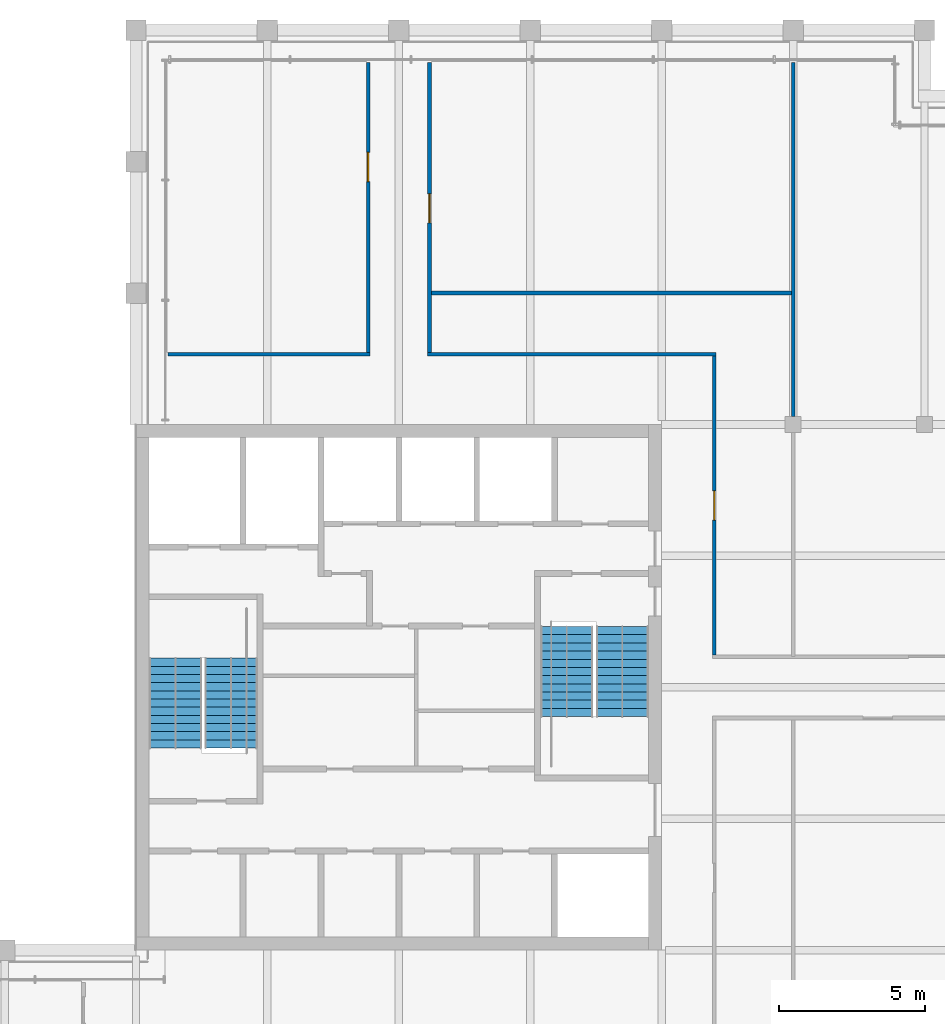
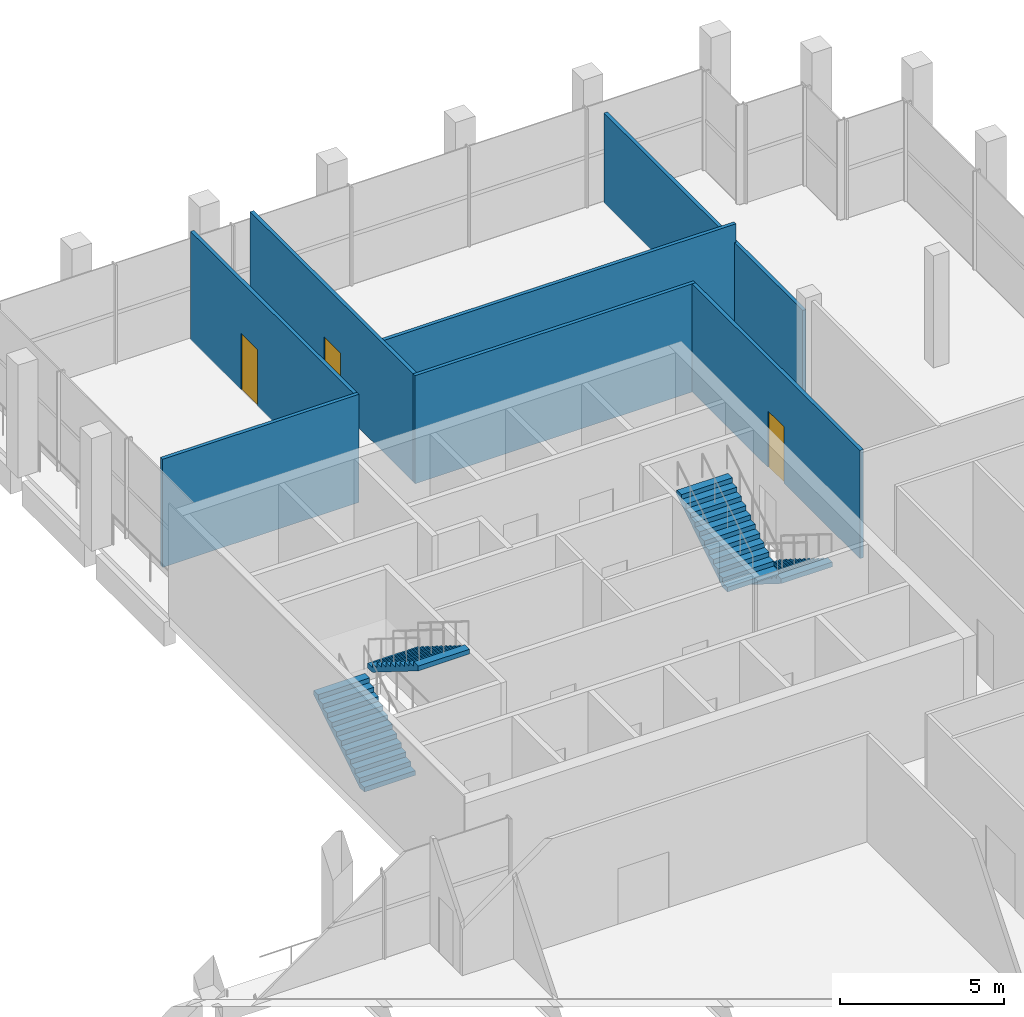
# One storey, part 16 of 17: 7 walls, 4 stair flights, 3 doors, 3 openings, 2 elements without a shape of their own.
"""IFC4 building model written with IfcOpenShell, lengths in metres."""

from ifc_helpers import new_model, si_unit, direction, frame, frame_2d, origin, place, context, subcontext, project, spatial, polyline, rectangle, outline, extrude, material, layer, layer_set, type_object, element, fill, aggregate, save


model = new_model("IFC4")

# Units and contexts
model_context = context("Model", 3, precision=1e-05, world=origin(), true_north=direction((0.0, 1.0)))
body_context = subcontext(model_context, "Body", "Model", "MODEL_VIEW")
ifc_project = project(units=[si_unit("LENGTHUNIT", "METRE"), si_unit("AREAUNIT", "SQUARE_METRE"), si_unit("VOLUMEUNIT", "CUBIC_METRE"), si_unit("PLANEANGLEUNIT", "RADIAN"), si_unit("MASSUNIT", "GRAM", prefix="KILO")], contexts=[model_context])

# Site, building, storey
site_placement = place(None, origin())
site = spatial("IfcSite", under=ifc_project, at=site_placement, CompositionType="ELEMENT")
building_placement = place(site_placement, origin())
building = spatial("IfcBuilding", under=site, at=building_placement, Name="Altepetl Exchange Towers", CompositionType="ELEMENT")
storey_placement = place(building_placement, frame((0.0, 0.0, 259.39990234375)))
storey = spatial("IfcBuildingStorey", under=building, at=storey_placement, Name="L66", CompositionType="ELEMENT", Elevation=259.39990234375)

# Walls
ifc_material_1 = material(Name="Gypsum board on steel studs", Category="steel")
ifc_layer = layer(ifc_material_1, 0.125)
ifc_layer_set = layer_set([ifc_layer], Name="Gypsum board on steel studs")
wall_type = type_object("IfcWallType", Name="Partition 125 gypsum board on steel studs", PredefinedType="PARTITIONING", material=ifc_layer_set)
wall_1_placement = place(storey_placement, frame((41.60009765625, 60.89990234375, 0.0)))
element("IfcWall", 1, at=wall_1_placement, inside=storey, type_object=wall_type, Name="wall:A:L66:P07", PredefinedType="PARTITIONING", context=body_context, shape_type="SweptSolid", body=[
    extrude(rectangle(XDim=6.912353515625, YDim=0.125, at=frame_2d((3.4560546875, 0.0))), origin(), (0.0, 0.0, 1.0), 4.025146484375),
])
wall_2_placement = place(storey_placement, frame((50.487548828125, 60.89990234375, 0.0)))
element("IfcWall", 2, at=wall_2_placement, inside=storey, type_object=wall_type, Name="wall:A:L66:P08", PredefinedType="PARTITIONING", context=body_context, shape_type="SweptSolid", body=[
    extrude(rectangle(XDim=9.875, YDim=0.125, at=frame_2d((4.9375, 0.0))), origin(), (0.0, 0.0, 1.0), 4.025146484375),
])
wall_3_placement = place(storey_placement, frame((50.550048828125, 63.0, 0.0)))
element("IfcWall", 3, at=wall_3_placement, inside=storey, type_object=wall_type, Name="wall:A:L66:P09", PredefinedType="PARTITIONING", context=body_context, shape_type="SweptSolid", body=[
    extrude(rectangle(XDim=12.449951171875, YDim=0.125, at=frame_2d((6.22509765625, 0.0))), origin(), (0.0, 0.0, 1.0), 4.025146484375),
])

# Wall, opening, door
wall_4_placement = place(storey_placement, frame((48.449951171875, 60.96240234375, 0.0), z_axis=(0.0, 0.0, 1.0), x_axis=(0.0, 1.0, 0.0)))
wall_4 = element("IfcWall", 4, at=wall_4_placement, inside=storey, type_object=wall_type, Name="wall:A:L66:P12", PredefinedType="PARTITIONING", context=body_context, shape_type="SweptSolid", body=[
    extrude(rectangle(XDim=9.9375, YDim=0.125, at=frame_2d((4.96875, 0.0))), origin(), (0.0, 0.0, 1.0), 4.025146484375),
])
opening_1_placement = place(wall_4_placement, frame((5.85546875, 0.0, 0.0)))
opening_1 = element("IfcOpeningElement", 5, at=opening_1_placement, cuts=wall_4, Name="Opening L66.A09", PredefinedType="OPENING", context=body_context, shape_type="SweptSolid", body=[
    extrude(rectangle(XDim=1.0, YDim=2.10009765625, at=frame_2d((0.5, 1.050048828125))), frame((0.0, 0.072509765625, 0.0), z_axis=(0.0, -1.0, 0.0), x_axis=(1.0, 0.0, 0.0)), (0.0, 0.0, 1.0), 0.14501953125),
])
ifc_material_2 = material(Name="Steel and timber fire door", Category="steel")
door_type = type_object("IfcDoorType", Name="Fire door 1000 x 2100 single leaf", OperationType="SINGLE_SWING_LEFT", PredefinedType="DOOR", material=ifc_material_2)
door_1_placement = place(opening_1_placement, origin())
door_1 = element("IfcDoor", 6, at=door_1_placement, inside=storey, type_object=door_type, Name="door:A:L66:09", OperationType="SINGLE_SWING_LEFT", OverallHeight=2.10009765625, OverallWidth=1.0, PredefinedType="DOOR", context=body_context, shape_type="SweptSolid", body=[
    extrude(rectangle(XDim=1.0, YDim=2.10009765625, at=frame_2d((0.5, 1.050048828125))), frame((0.0, 0.02490234375, 0.0), z_axis=(0.0, -1.0, 0.0), x_axis=(1.0, 0.0, 0.0)), (0.0, 0.0, 1.0), 0.050048828125),
])
fill(opening_1, door_1)

wall_5_placement = place(storey_placement, frame((50.550048828125, 60.96240234375, 0.0), z_axis=(0.0, 0.0, 1.0), x_axis=(0.0, 1.0, 0.0)))
wall_5 = element("IfcWall", 7, at=wall_5_placement, inside=storey, type_object=wall_type, Name="wall:A:L66:P13", PredefinedType="PARTITIONING", context=body_context, shape_type="SweptSolid", body=[
    extrude(rectangle(XDim=9.9375, YDim=0.125, at=frame_2d((4.96875, 0.0))), origin(), (0.0, 0.0, 1.0), 4.025146484375),
])
opening_2_placement = place(wall_5_placement, frame((4.4375, 0.0, 0.0)))
opening_2 = element("IfcOpeningElement", 8, at=opening_2_placement, cuts=wall_5, Name="Opening L66.A08", PredefinedType="OPENING", context=body_context, shape_type="SweptSolid", body=[
    extrude(rectangle(XDim=1.0, YDim=2.10009765625, at=frame_2d((0.5, 1.050048828125))), frame((0.0, 0.072509765625, 0.0), z_axis=(0.0, -1.0, 0.0), x_axis=(1.0, 0.0, 0.0)), (0.0, 0.0, 1.0), 0.14501953125),
])
door_2_placement = place(opening_2_placement, frame((1.0, 0.0, 0.0), x_axis=(-1.0, 0.0, 0.0)))
door_2 = element("IfcDoor", 9, at=door_2_placement, inside=storey, type_object=door_type, Name="door:A:L66:08", OperationType="SINGLE_SWING_RIGHT", OverallHeight=2.10009765625, OverallWidth=1.0, PredefinedType="DOOR", context=body_context, shape_type="SweptSolid", body=[
    extrude(rectangle(XDim=1.0, YDim=2.10009765625, at=frame_2d((0.5, 1.050048828125))), frame((0.0, 0.02490234375, 0.0), z_axis=(0.0, -1.0, 0.0), x_axis=(1.0, 0.0, 0.0)), (0.0, 0.0, 1.0), 0.050048828125),
])
fill(opening_2, door_2)

wall_6_placement = place(storey_placement, frame((60.300048828125, 50.612548828125, 0.0), z_axis=(0.0, 0.0, 1.0), x_axis=(0.0, 1.0, 0.0)))
wall_6 = element("IfcWall", 10, at=wall_6_placement, inside=storey, type_object=wall_type, Name="wall:A:L66:P17", PredefinedType="PARTITIONING", context=body_context, shape_type="SweptSolid", body=[
    extrude(rectangle(XDim=10.224853515625, YDim=0.125, at=frame_2d((5.1123046875, 0.0))), origin(), (0.0, 0.0, 1.0), 4.025146484375),
])
opening_3_placement = place(wall_6_placement, frame((4.612548828125, 0.0, 0.0)))
opening_3 = element("IfcOpeningElement", 11, at=opening_3_placement, cuts=wall_6, Name="Opening L66.A07", PredefinedType="OPENING", context=body_context, shape_type="SweptSolid", body=[
    extrude(rectangle(XDim=1.0, YDim=2.10009765625, at=frame_2d((0.5, 1.050048828125))), frame((0.0, 0.072509765625, 0.0), z_axis=(0.0, -1.0, 0.0), x_axis=(1.0, 0.0, 0.0)), (0.0, 0.0, 1.0), 0.14501953125),
])
door_3_placement = place(opening_3_placement, frame((1.0, 0.0, 0.0), x_axis=(-1.0, 0.0, 0.0)))
door_3 = element("IfcDoor", 12, at=door_3_placement, inside=storey, type_object=door_type, Name="door:A:L66:07", OperationType="SINGLE_SWING_RIGHT", OverallHeight=2.10009765625, OverallWidth=1.0, PredefinedType="DOOR", context=body_context, shape_type="SweptSolid", body=[
    extrude(rectangle(XDim=1.0, YDim=2.10009765625, at=frame_2d((0.5, 1.050048828125))), frame((0.0, 0.02490234375, 0.0), z_axis=(0.0, -1.0, 0.0), x_axis=(1.0, 0.0, 0.0)), (0.0, 0.0, 1.0), 0.050048828125),
])
fill(opening_3, door_3)

# Wall
wall_7_placement = place(storey_placement, frame((63.0, 58.77490234375, 0.0), z_axis=(0.0, 0.0, 1.0), x_axis=(0.0, 1.0, 0.0)))
element("IfcWall", 13, at=wall_7_placement, inside=storey, type_object=wall_type, Name="wall:A:L66:P20", PredefinedType="PARTITIONING", context=body_context, shape_type="SweptSolid", body=[
    extrude(rectangle(XDim=12.125, YDim=0.125, at=frame_2d((6.0625, 0.0))), origin(), (0.0, 0.0, 1.0), 3.341064453125),
])

# Stair, stair flights
ifc_material_3 = material(Name="Concrete C40/50", Category="concrete")
stair_type = type_object("IfcStairType", Name="Exit stair 1800 flights dogleg", PredefinedType="HALF_TURN_STAIR", material=ifc_material_3)
stair_1_placement = place(storey_placement, origin())
stair_1 = element("IfcStair", 14, at=stair_1_placement, inside=storey, type_object=stair_type, Name="Exit stair 1", PredefinedType="HALF_TURN_STAIR")
stair_flight_type = type_object("IfcStairFlightType", Name="Stair flight 1800 wide", PredefinedType="STRAIGHT", material=ifc_material_3)
stair_flight_1_placement = place(storey_placement, frame((41.85009765625, 47.419921875, 0.0), z_axis=(0.0, 0.0, 1.0), x_axis=(0.0, 1.0, 0.0)))
stair_flight_1 = element("IfcStairFlight", 15, at=stair_flight_1_placement, type_object=stair_flight_type, Name="ST-A1j flight 1", NumberOfRisers=12, NumberOfTreads=11, PredefinedType="STRAIGHT", RiserHeight=0.175, TreadLength=0.28, context=body_context, shape_type="SweptSolid", body=[
    extrude(outline(polyline([(0.0, 0.0), (0.0, 0.175048828125), (0.280029296875, 0.175048828125), (0.280029296875, 0.35009765625), (0.56005859375, 0.35009765625), (0.56005859375, 0.52490234375), (0.840087890625, 0.52490234375), (0.840087890625, 0.699951171875), (1.1201171875, 0.699951171875), (1.1201171875, 0.875), (1.39990234375, 0.875), (1.39990234375, 1.050048828125), (1.679931640625, 1.050048828125), (1.679931640625, 1.22509765625), (1.9599609375, 1.22509765625), (1.9599609375, 1.39990234375), (2.239990234375, 1.39990234375), (2.239990234375, 1.574951171875), (2.52001953125, 1.574951171875), (2.52001953125, 1.75), (2.800048828125, 1.75), (2.800048828125, 1.925048828125), (3.080078125, 1.925048828125), (3.080078125, 2.10009765625), (3.080078125, 1.748291015625), (0.28271484375, 0.0), (0.0, 0.0)])), frame((0.0, 0.89990234375, 0.0), z_axis=(0.0, -1.0, 0.0), x_axis=(1.0, 0.0, 0.0)), (0.0, 0.0, 1.0), 1.800048828125),
])
stair_flight_2_placement = place(storey_placement, frame((43.75, 50.5, 2.10009765625), z_axis=(0.0, 0.0, 1.0), x_axis=(0.0, -1.0, 0.0)))
stair_flight_2 = element("IfcStairFlight", 16, at=stair_flight_2_placement, type_object=stair_flight_type, Name="ST-A1j flight 2", NumberOfRisers=12, NumberOfTreads=11, PredefinedType="STRAIGHT", RiserHeight=0.175, TreadLength=0.28, context=body_context, shape_type="SweptSolid", body=[
    extrude(outline(polyline([(0.0, 0.0), (0.0, 0.175048828125), (0.280029296875, 0.175048828125), (0.280029296875, 0.35009765625), (0.56005859375, 0.35009765625), (0.56005859375, 0.52490234375), (0.840087890625, 0.52490234375), (0.840087890625, 0.699951171875), (1.1201171875, 0.699951171875), (1.1201171875, 0.875), (1.39990234375, 0.875), (1.39990234375, 1.050048828125), (1.679931640625, 1.050048828125), (1.679931640625, 1.22509765625), (1.9599609375, 1.22509765625), (1.9599609375, 1.39990234375), (2.239990234375, 1.39990234375), (2.239990234375, 1.574951171875), (2.52001953125, 1.574951171875), (2.52001953125, 1.75), (2.800048828125, 1.75), (2.800048828125, 1.925048828125), (3.080078125, 1.925048828125), (3.080078125, 2.10009765625), (3.080078125, 1.748291015625), (0.28271484375, 0.0), (0.0, 0.0)])), frame((0.0, 0.89990234375, 0.0), z_axis=(0.0, -1.0, 0.0), x_axis=(1.0, 0.0, 0.0)), (0.0, 0.0, 1.0), 1.800048828125),
])
aggregate(stair_1, [stair_flight_1, stair_flight_2])

stair_2_placement = place(storey_placement, origin())
stair_2 = element("IfcStair", 17, at=stair_2_placement, inside=storey, type_object=stair_type, Name="Exit stair 2", PredefinedType="HALF_TURN_STAIR")
stair_flight_3_placement = place(storey_placement, frame((57.14990234375, 51.580078125, 0.0), z_axis=(0.0, 0.0, 1.0), x_axis=(0.0, -1.0, 0.0)))
stair_flight_3 = element("IfcStairFlight", 18, at=stair_flight_3_placement, type_object=stair_flight_type, Name="ST-A2j flight 1", NumberOfRisers=12, NumberOfTreads=11, PredefinedType="STRAIGHT", RiserHeight=0.175, TreadLength=0.28, context=body_context, shape_type="SweptSolid", body=[
    extrude(outline(polyline([(0.0, 0.0), (0.0, 0.175048828125), (0.280029296875, 0.175048828125), (0.280029296875, 0.35009765625), (0.56005859375, 0.35009765625), (0.56005859375, 0.52490234375), (0.840087890625, 0.52490234375), (0.840087890625, 0.699951171875), (1.1201171875, 0.699951171875), (1.1201171875, 0.875), (1.39990234375, 0.875), (1.39990234375, 1.050048828125), (1.679931640625, 1.050048828125), (1.679931640625, 1.22509765625), (1.9599609375, 1.22509765625), (1.9599609375, 1.39990234375), (2.239990234375, 1.39990234375), (2.239990234375, 1.574951171875), (2.52001953125, 1.574951171875), (2.52001953125, 1.75), (2.800048828125, 1.75), (2.800048828125, 1.925048828125), (3.080078125, 1.925048828125), (3.080078125, 2.10009765625), (3.080078125, 1.748291015625), (0.28271484375, 0.0), (0.0, 0.0)])), frame((0.0, 0.89990234375, 0.0), z_axis=(0.0, -1.0, 0.0), x_axis=(1.0, 0.0, 0.0)), (0.0, 0.0, 1.0), 1.800048828125),
])
stair_flight_4_placement = place(storey_placement, frame((55.25, 48.5, 2.10009765625), z_axis=(0.0, 0.0, 1.0), x_axis=(0.0, 1.0, 0.0)))
stair_flight_4 = element("IfcStairFlight", 19, at=stair_flight_4_placement, type_object=stair_flight_type, Name="ST-A2j flight 2", NumberOfRisers=12, NumberOfTreads=11, PredefinedType="STRAIGHT", RiserHeight=0.175, TreadLength=0.28, context=body_context, shape_type="SweptSolid", body=[
    extrude(outline(polyline([(0.0, 0.0), (0.0, 0.175048828125), (0.280029296875, 0.175048828125), (0.280029296875, 0.35009765625), (0.56005859375, 0.35009765625), (0.56005859375, 0.52490234375), (0.840087890625, 0.52490234375), (0.840087890625, 0.699951171875), (1.1201171875, 0.699951171875), (1.1201171875, 0.875), (1.39990234375, 0.875), (1.39990234375, 1.050048828125), (1.679931640625, 1.050048828125), (1.679931640625, 1.22509765625), (1.9599609375, 1.22509765625), (1.9599609375, 1.39990234375), (2.239990234375, 1.39990234375), (2.239990234375, 1.574951171875), (2.52001953125, 1.574951171875), (2.52001953125, 1.75), (2.800048828125, 1.75), (2.800048828125, 1.925048828125), (3.080078125, 1.925048828125), (3.080078125, 2.10009765625), (3.080078125, 1.748291015625), (0.28271484375, 0.0), (0.0, 0.0)])), frame((0.0, 0.89990234375, 0.0), z_axis=(0.0, -1.0, 0.0), x_axis=(1.0, 0.0, 0.0)), (0.0, 0.0, 1.0), 1.800048828125),
])
aggregate(stair_2, [stair_flight_3, stair_flight_4])

save(model, "model.ifc")
